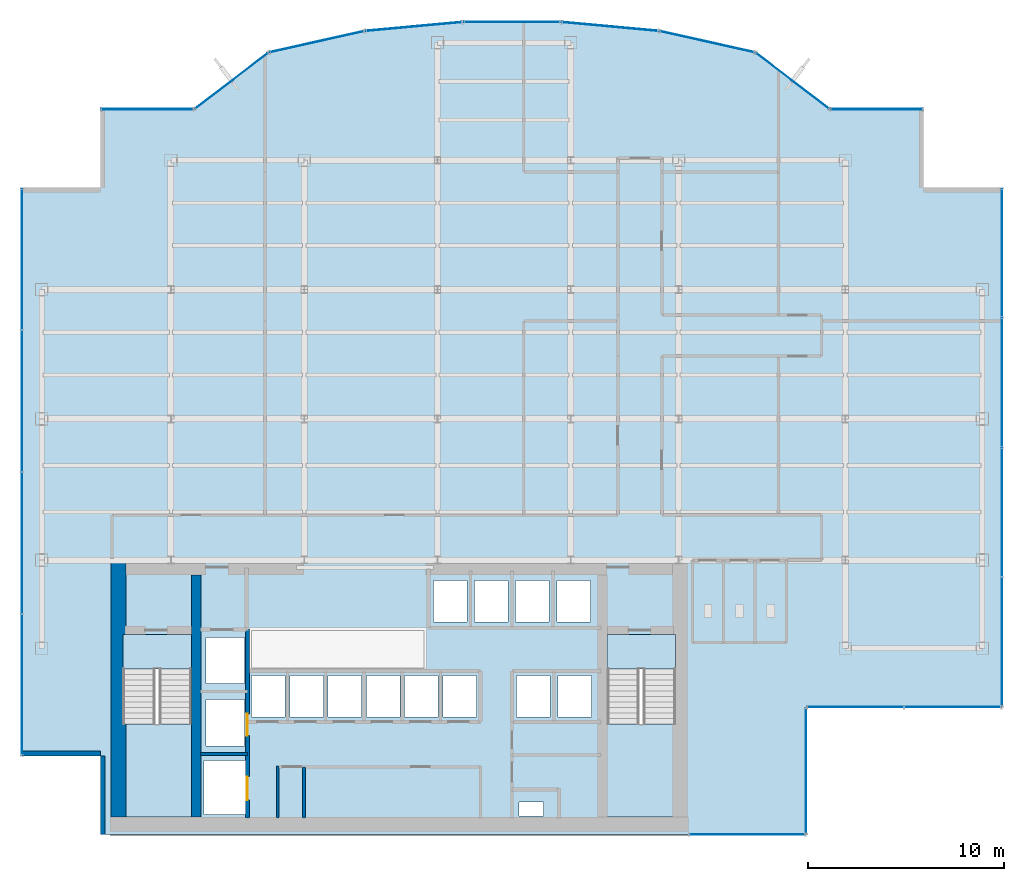
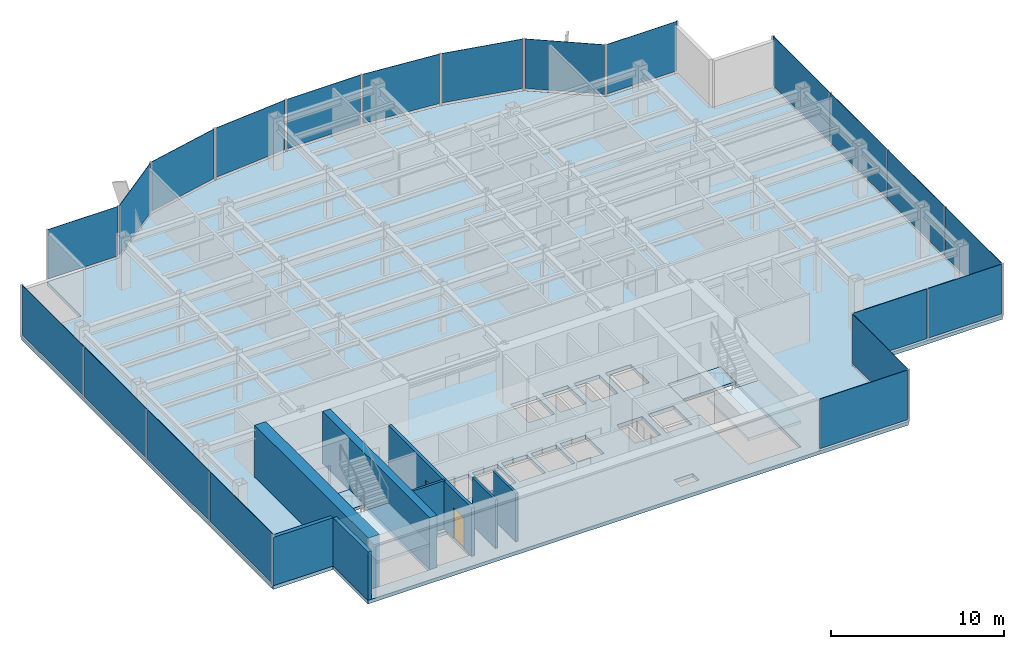
# One storey, part 19 of 25: 21 plates, 8 walls, 5 slabs, 2 doors, 2 openings, 16 elements without a shape of their own.
"""IFC4 building model written with IfcOpenShell, lengths in metres."""

from ifc_helpers import new_model, si_unit, derived_unit, direction, frame, frame_2d, origin, origin_2d, place, context, subcontext, project, spatial, polyline, rectangle, outline, extrude, source, transform, mapped, material, layer, layer_set, type_object, element, fill, aggregate, save


model = new_model("IFC4")

# Units and contexts
model_context = context("Model", 3, precision=1e-05, world=origin(), true_north=direction((0.0, 1.0)))
body_context = subcontext(model_context, "Body", "Model", "MODEL_VIEW")
ifc_project = project(units=[si_unit("LENGTHUNIT", "METRE"), si_unit("AREAUNIT", "SQUARE_METRE"), si_unit("VOLUMEUNIT", "CUBIC_METRE"), si_unit("PLANEANGLEUNIT", "RADIAN"), si_unit("MASSUNIT", "GRAM", prefix="KILO"), derived_unit("THERMALTRANSMITTANCEUNIT", [(si_unit("POWERUNIT", "WATT"), 1), (si_unit("LENGTHUNIT", "METRE"), -2), (si_unit("THERMODYNAMICTEMPERATUREUNIT", "KELVIN"), -1)])], contexts=[model_context])

# Site, building, storey
site_placement = place(None, origin())
site = spatial("IfcSite", under=ifc_project, at=site_placement, CompositionType="ELEMENT")
building_placement = place(site_placement, origin())
building = spatial("IfcBuilding", under=site, at=building_placement, Name="Skarnbrae Concourse Arena and Tower", CompositionType="ELEMENT")
storey_placement = place(building_placement, frame((0.0, 0.0, 166.14990234375)))
storey = spatial("IfcBuildingStorey", under=building, at=storey_placement, Name="L42", CompositionType="ELEMENT", Elevation=166.14990234375)

# Stair, slab
ifc_material_1 = material(Name="Concrete 40 MPa (C40/50)", Category="concrete")
stair_type = type_object("IfcStairType", Name="STAIR-DOGLEG-1650", PredefinedType="HALF_TURN_STAIR", material=ifc_material_1)
stair_1_placement = place(storey_placement, origin())
stair_1 = element("IfcStair", 1, at=stair_1_placement, inside=storey, type_object=stair_type, Name="L42 Protected Exit Stair ST-1", PredefinedType="HALF_TURN_STAIR")
ifc_layer_1 = layer(ifc_material_1, 0.199951171875)
ifc_layer_set_1 = layer_set([ifc_layer_1], Name="Concrete 40 MPa (C40/50)")
slab_type_1 = type_object("IfcSlabType", Name="SLAB-LANDING-200", PredefinedType="LANDING", material=ifc_layer_set_1)
slab_1_placement = place(storey_placement, frame((0.0, 0.0, 1.625)))
slab_1 = element("IfcSlab", 2, at=slab_1_placement, type_object=slab_type_1, Name="ST-1 landing 1", PredefinedType="LANDING", context=body_context, shape_type="SweptSolid", body=[
    extrude(outline(polyline([(5.14990234375, 5.64990234375), (5.14990234375, 0.89990234375), (8.64990234375, 0.89990234375), (8.64990234375, 5.64990234375), (5.14990234375, 5.64990234375)])), origin(), (0.0, 0.0, 1.0), 0.2001953125),
])
aggregate(stair_1, [slab_1])

stair_2_placement = place(storey_placement, origin())
stair_2 = element("IfcStair", 3, at=stair_2_placement, inside=storey, type_object=stair_type, Name="L42 Protected Exit Stair ST-2", PredefinedType="HALF_TURN_STAIR")
slab_2_placement = place(storey_placement, frame((0.0, 0.0, 1.625)))
slab_2 = element("IfcSlab", 4, at=slab_2_placement, type_object=slab_type_1, Name="ST-2 landing 1", PredefinedType="LANDING", context=body_context, shape_type="SweptSolid", body=[
    extrude(outline(polyline([(29.85009765625, 5.64990234375), (29.85009765625, 0.89990234375), (33.35009765625, 0.89990234375), (33.35009765625, 5.64990234375), (29.85009765625, 5.64990234375)])), origin(), (0.0, 0.0, 1.0), 0.2001953125),
])
aggregate(stair_2, [slab_2])

# Slabs
slab_3_placement = place(storey_placement, frame((0.0, 0.0, -0.199951171875)))
element("IfcSlab", 5, at=slab_3_placement, inside=storey, type_object=slab_type_1, Name="L42 Core stair ST1 floor landing", PredefinedType="LANDING", context=body_context, shape_type="SweptSolid", body=[
    extrude(outline(polyline([(5.14990234375, 10.199951171875), (5.14990234375, 8.449951171875), (8.64990234375, 8.449951171875), (8.64990234375, 10.199951171875), (5.14990234375, 10.199951171875)])), origin(), (0.0, 0.0, 1.0), 0.199951171875),
])
slab_4_placement = place(storey_placement, frame((0.0, 0.0, -0.199951171875)))
element("IfcSlab", 6, at=slab_4_placement, inside=storey, type_object=slab_type_1, Name="L42 Core stair ST2 floor landing", PredefinedType="LANDING", context=body_context, shape_type="SweptSolid", body=[
    extrude(outline(polyline([(29.85009765625, 10.199951171875), (29.85009765625, 8.449951171875), (33.35009765625, 8.449951171875), (33.35009765625, 10.199951171875), (29.85009765625, 10.199951171875)])), origin(), (0.0, 0.0, 1.0), 0.199951171875),
])
ifc_layer_2 = layer(ifc_material_1, 0.25)
ifc_layer_set_2 = layer_set([ifc_layer_2], Name="Concrete 40 MPa (C40/50)")
slab_type_2 = type_object("IfcSlabType", Name="SLAB-TOWER-250", PredefinedType="FLOOR", material=ifc_layer_set_2)
slab_5_placement = place(storey_placement, frame((0.0, 0.0, -0.25)))
element("IfcSlab", 7, at=slab_5_placement, inside=storey, type_object=slab_type_2, Name="L42 Structural floor slab", PredefinedType="FLOOR", context=body_context, shape_type="SweptSolid", body=[
    extrude(outline(polyline([(4.0, 0.0), (40.0, 0.0), (40.0, 6.5), (50.0, 6.5), (50.0, 33.0), (46.0, 33.0), (46.0, 37.0), (41.199951171875, 37.0), (37.409423828125, 39.892578125), (32.51220703125, 40.98681640625), (27.51123046875, 41.445556640625), (22.48876953125, 41.445556640625), (17.48779296875, 40.98681640625), (12.590576171875, 39.892578125), (8.800048828125, 37.0), (4.0, 37.0), (4.0, 33.0), (0.0, 33.0), (0.0, 4.0), (4.0, 4.0), (4.0, 0.0)]), holes=[polyline([(9.294921875, 3.780029296875), (11.455078125, 3.780029296875), (11.455078125, 1.02001953125), (9.294921875, 1.02001953125), (9.294921875, 3.780029296875)]), polyline([(8.64990234375, 10.199951171875), (8.64990234375, 0.89990234375), (5.14990234375, 0.89990234375), (5.14990234375, 10.199951171875), (8.64990234375, 10.199951171875)]), polyline([(9.39501953125, 6.8798828125), (11.35498046875, 6.8798828125), (11.35498046875, 4.52001953125), (9.39501953125, 4.52001953125), (9.39501953125, 6.8798828125)]), polyline([(11.719970703125, 8.10498046875), (13.429931640625, 8.10498046875), (13.429931640625, 5.9951171875), (11.719970703125, 5.9951171875), (11.719970703125, 8.10498046875)]), polyline([(13.669921875, 8.10498046875), (15.3798828125, 8.10498046875), (15.3798828125, 5.9951171875), (13.669921875, 5.9951171875), (13.669921875, 8.10498046875)]), polyline([(15.6201171875, 8.10498046875), (17.330078125, 8.10498046875), (17.330078125, 5.9951171875), (15.6201171875, 5.9951171875), (15.6201171875, 8.10498046875)]), polyline([(17.570068359375, 8.10498046875), (19.280029296875, 8.10498046875), (19.280029296875, 5.9951171875), (17.570068359375, 5.9951171875), (17.570068359375, 8.10498046875)]), polyline([(21.22998046875, 8.10498046875), (21.22998046875, 5.9951171875), (19.52001953125, 5.9951171875), (19.52001953125, 8.10498046875), (21.22998046875, 8.10498046875)]), polyline([(11.35498046875, 10.054931640625), (11.35498046875, 7.695068359375), (9.39501953125, 7.695068359375), (9.39501953125, 10.054931640625), (11.35498046875, 10.054931640625)]), polyline([(25.35009765625, 1.669921875), (26.60009765625, 1.669921875), (26.60009765625, 0.949951171875), (25.35009765625, 0.949951171875), (25.35009765625, 1.669921875)]), polyline([(33.35009765625, 10.199951171875), (33.35009765625, 0.89990234375), (29.85009765625, 0.89990234375), (29.85009765625, 10.199951171875), (33.35009765625, 10.199951171875)]), polyline([(21.469970703125, 8.10498046875), (23.179931640625, 8.10498046875), (23.179931640625, 5.9951171875), (21.469970703125, 5.9951171875), (21.469970703125, 8.10498046875)]), polyline([(25.235107421875, 8.10498046875), (26.945068359375, 8.10498046875), (26.945068359375, 5.9951171875), (25.235107421875, 5.9951171875), (25.235107421875, 8.10498046875)]), polyline([(27.3349609375, 8.10498046875), (29.044921875, 8.10498046875), (29.044921875, 5.9951171875), (27.3349609375, 5.9951171875), (27.3349609375, 8.10498046875)]), polyline([(20.985107421875, 12.955078125), (22.695068359375, 12.955078125), (22.695068359375, 10.844970703125), (20.985107421875, 10.844970703125), (20.985107421875, 12.955078125)]), polyline([(23.0849609375, 12.955078125), (24.794921875, 12.955078125), (24.794921875, 10.844970703125), (23.0849609375, 10.844970703125), (23.0849609375, 12.955078125)]), polyline([(26.89501953125, 12.955078125), (26.89501953125, 10.844970703125), (25.18505859375, 10.844970703125), (25.18505859375, 12.955078125), (26.89501953125, 12.955078125)]), polyline([(28.9951171875, 12.955078125), (28.9951171875, 10.844970703125), (27.284912109375, 10.844970703125), (27.284912109375, 12.955078125), (28.9951171875, 12.955078125)])]), origin(), (0.0, 0.0, 1.0), 0.25),
])

# Curtain wall, plates
ifc_material_2 = material(Name="Bronze anodised aluminium 6063-T6", Category="aluminium")
curtain_wall_type_1 = type_object("IfcCurtainWallType", Name="CW-SYS-04-MIDZONE", PredefinedType="USERDEFINED", material=ifc_material_2)
curtain_wall_1_placement = place(storey_placement, origin())
curtain_wall_1 = element("IfcCurtainWall", 8, at=curtain_wall_1_placement, inside=storey, type_object=curtain_wall_type_1, Name="L42 Unitised curtain wall CW-L42-E03", ObjectType="UNITISED CURTAIN WALL", PredefinedType="USERDEFINED")
ifc_material_3 = material(Name="Low-E triple insulating glass", Category="glass")
ifc_layer_3 = layer(ifc_material_3, 0.031982421875)
ifc_layer_set_3 = layer_set([ifc_layer_3], Name="Low-E triple insulating glass")
plate_type_1 = type_object("IfcPlateType", Name="CWP-CW-04", PredefinedType="CURTAIN_PANEL", material=ifc_layer_set_3)
shared_shape_1 = source(origin(), body_context, "Body", "SweptSolid", [
    extrude(rectangle(XDim=4.887451171875, YDim=0.031982421875, at=origin_2d()), origin(), (0.0, 0.0, 1.0), 3.489990234375),
])
plate_1_placement = place(storey_placement, frame((42.518798828125, 6.5, 0.16015625), z_axis=(0.0, 0.0, 1.0), x_axis=(1.0, 0.0, 0.0)))
plate_1 = element("IfcPlate", 9, at=plate_1_placement, type_object=plate_type_1, Name="CW-L42-E03 Low-E Glazing Panel 1", PredefinedType="CURTAIN_PANEL", context=body_context, shape_type="MappedRepresentation", body=[
    mapped(shared_shape_1, transform((0.0, 0.0, 0.0))),
])
plate_2_placement = place(storey_placement, frame((47.481201171875, 6.5, 0.16015625), z_axis=(0.0, 0.0, 1.0), x_axis=(1.0, 0.0, 0.0)))
plate_2 = element("IfcPlate", 10, at=plate_2_placement, type_object=plate_type_1, Name="CW-L42-E03 Low-E Glazing Panel 2", PredefinedType="CURTAIN_PANEL", context=body_context, shape_type="MappedRepresentation", body=[
    mapped(shared_shape_1, transform((0.0, 0.0, 0.0))),
])
aggregate(curtain_wall_1, [plate_1, plate_2])

# Curtain wall, plate
curtain_wall_2_placement = place(storey_placement, origin())
curtain_wall_2 = element("IfcCurtainWall", 11, at=curtain_wall_2_placement, inside=storey, type_object=curtain_wall_type_1, Name="L42 Unitised curtain wall CW-L42-SE-SPINE", ObjectType="UNITISED CURTAIN WALL", PredefinedType="USERDEFINED")
shared_shape_2 = source(origin(), body_context, "Body", "SweptSolid", [
    extrude(rectangle(XDim=5.85009765625, YDim=0.031982421875, at=origin_2d()), origin(), (0.0, 0.0, 1.0), 3.489990234375),
])
plate_3_placement = place(storey_placement, frame((37.0, 0.0, 0.16015625), z_axis=(0.0, 0.0, 1.0), x_axis=(1.0, 0.0, 0.0)))
plate_3 = element("IfcPlate", 12, at=plate_3_placement, type_object=plate_type_1, Name="CW-L42-SE-SPINE Low-E Glazing Panel 1", PredefinedType="CURTAIN_PANEL", context=body_context, shape_type="MappedRepresentation", body=[
    mapped(shared_shape_2, transform((0.0, 0.0, 0.0))),
])
aggregate(curtain_wall_2, [plate_3])

curtain_wall_3_placement = place(storey_placement, origin())
curtain_wall_3 = element("IfcCurtainWall", 13, at=curtain_wall_3_placement, inside=storey, type_object=curtain_wall_type_1, Name="L42 Unitised curtain wall CW-L42-E02", ObjectType="UNITISED CURTAIN WALL", PredefinedType="USERDEFINED")
shared_shape_3 = source(origin(), body_context, "Body", "SweptSolid", [
    extrude(rectangle(XDim=6.35009765625, YDim=0.031982421875, at=origin_2d()), origin(), (0.0, 0.0, 1.0), 3.489990234375),
])
plate_4_placement = place(storey_placement, frame((40.0, 3.25, 0.16015625), z_axis=(0.0, 0.0, 1.0), x_axis=(0.0, 1.0, 0.0)))
plate_4 = element("IfcPlate", 14, at=plate_4_placement, type_object=plate_type_1, Name="CW-L42-E02 Low-E Glazing Panel 1", PredefinedType="CURTAIN_PANEL", context=body_context, shape_type="MappedRepresentation", body=[
    mapped(shared_shape_3, transform((0.0, 0.0, 0.0))),
])
aggregate(curtain_wall_3, [plate_4])

curtain_wall_4_placement = place(storey_placement, origin())
curtain_wall_4 = element("IfcCurtainWall", 15, at=curtain_wall_4_placement, inside=storey, type_object=curtain_wall_type_1, Name="L42 Unitised curtain wall CW-L42-E07", ObjectType="UNITISED CURTAIN WALL", PredefinedType="USERDEFINED")
shared_shape_4 = source(origin(), body_context, "Body", "SweptSolid", [
    extrude(rectangle(XDim=4.64990234375, YDim=0.031982421875, at=origin_2d()), origin(), (0.0, 0.0, 1.0), 3.489990234375),
])
plate_5_placement = place(storey_placement, frame((43.60009765625, 37.0, 0.16015625), z_axis=(0.0, 0.0, 1.0), x_axis=(-1.0, 0.0, 0.0)))
plate_5 = element("IfcPlate", 16, at=plate_5_placement, type_object=plate_type_1, Name="CW-L42-E07 Low-E Glazing Panel 1", PredefinedType="CURTAIN_PANEL", context=body_context, shape_type="MappedRepresentation", body=[
    mapped(shared_shape_4, transform((0.0, 0.0, 0.0))),
])
aggregate(curtain_wall_4, [plate_5])

curtain_wall_5_placement = place(storey_placement, origin())
curtain_wall_5 = element("IfcCurtainWall", 17, at=curtain_wall_5_placement, inside=storey, type_object=curtain_wall_type_1, Name="L42 Unitised curtain wall CW-L42-E15", ObjectType="UNITISED CURTAIN WALL", PredefinedType="USERDEFINED")
plate_6_placement = place(storey_placement, frame((6.39990234375, 37.0, 0.16015625), z_axis=(0.0, 0.0, 1.0), x_axis=(-1.0, 0.0, 0.0)))
plate_6 = element("IfcPlate", 18, at=plate_6_placement, type_object=plate_type_1, Name="CW-L42-E15 Low-E Glazing Panel 1", PredefinedType="CURTAIN_PANEL", context=body_context, shape_type="MappedRepresentation", body=[
    mapped(shared_shape_4, transform((0.0, 0.0, 0.0))),
])
aggregate(curtain_wall_5, [plate_6])

curtain_wall_6_placement = place(storey_placement, origin())
curtain_wall_6 = element("IfcCurtainWall", 19, at=curtain_wall_6_placement, inside=storey, type_object=curtain_wall_type_1, Name="L42 Unitised curtain wall CW-L42-E08", ObjectType="UNITISED CURTAIN WALL", PredefinedType="USERDEFINED")
shared_shape_5 = source(origin(), body_context, "Body", "SweptSolid", [
    extrude(rectangle(XDim=4.6181640625, YDim=0.031982421875, at=origin_2d()), origin(), (0.0, 0.0, 1.0), 3.489990234375),
])
plate_7_placement = place(storey_placement, frame((39.3046875, 38.4462890625, 0.16015625), z_axis=(0.0, 0.0, 1.0), x_axis=(-0.794956000706, 0.606667089054, 0.0)))
plate_7 = element("IfcPlate", 20, at=plate_7_placement, type_object=plate_type_1, Name="CW-L42-E08 Low-E Glazing Panel 1", PredefinedType="CURTAIN_PANEL", context=body_context, shape_type="MappedRepresentation", body=[
    mapped(shared_shape_5, transform((0.0, 0.0, 0.0))),
])
aggregate(curtain_wall_6, [plate_7])

curtain_wall_7_placement = place(storey_placement, origin())
curtain_wall_7 = element("IfcCurtainWall", 21, at=curtain_wall_7_placement, inside=storey, type_object=curtain_wall_type_1, Name="L42 Unitised curtain wall CW-L42-E14", ObjectType="UNITISED CURTAIN WALL", PredefinedType="USERDEFINED")
plate_8_placement = place(storey_placement, frame((10.6953125, 38.4462890625, 0.16015625), z_axis=(0.0, 0.0, 1.0), x_axis=(-0.794956000706, -0.606667089054, 0.0)))
plate_8 = element("IfcPlate", 22, at=plate_8_placement, type_object=plate_type_1, Name="CW-L42-E14 Low-E Glazing Panel 1", PredefinedType="CURTAIN_PANEL", context=body_context, shape_type="MappedRepresentation", body=[
    mapped(shared_shape_5, transform((0.0, 0.0, 0.0))),
])
aggregate(curtain_wall_7, [plate_8])

# Curtain wall, plates
curtain_wall_8_placement = place(storey_placement, origin())
curtain_wall_8 = element("IfcCurtainWall", 23, at=curtain_wall_8_placement, inside=storey, type_object=curtain_wall_type_1, Name="L42 Unitised curtain wall CW-L42-E18", ObjectType="UNITISED CURTAIN WALL", PredefinedType="USERDEFINED")
shared_shape_6 = source(origin(), body_context, "Body", "SweptSolid", [
    extrude(rectangle(XDim=7.137451171875, YDim=0.031982421875, at=origin_2d()), origin(), (0.0, 0.0, 1.0), 3.489990234375),
])
plate_9_placement = place(storey_placement, frame((0.0, 29.356201171875, 0.16015625), z_axis=(0.0, 0.0, 1.0), x_axis=(0.0, -1.0, 0.0)))
plate_9 = element("IfcPlate", 24, at=plate_9_placement, type_object=plate_type_1, Name="CW-L42-E18 Low-E Glazing Panel 1", PredefinedType="CURTAIN_PANEL", context=body_context, shape_type="MappedRepresentation", body=[
    mapped(shared_shape_6, transform((0.0, 0.0, 0.0))),
])
plate_10_placement = place(storey_placement, frame((0.0, 7.643798828125, 0.16015625), z_axis=(0.0, 0.0, 1.0), x_axis=(0.0, -1.0, 0.0)))
plate_10 = element("IfcPlate", 25, at=plate_10_placement, type_object=plate_type_1, Name="CW-L42-E18 Low-E Glazing Panel 4", PredefinedType="CURTAIN_PANEL", context=body_context, shape_type="MappedRepresentation", body=[
    mapped(shared_shape_6, transform((0.0, 0.0, 0.0))),
])
shared_shape_7 = source(origin(), body_context, "Body", "SweptSolid", [
    extrude(rectangle(XDim=7.175048828125, YDim=0.031982421875, at=origin_2d()), origin(), (0.0, 0.0, 1.0), 3.489990234375),
])
plate_11_placement = place(storey_placement, frame((0.0, 22.125, 0.16015625), z_axis=(0.0, 0.0, 1.0), x_axis=(0.0, -1.0, 0.0)))
plate_11 = element("IfcPlate", 26, at=plate_11_placement, type_object=plate_type_1, Name="CW-L42-E18 Low-E Glazing Panel 2", PredefinedType="CURTAIN_PANEL", context=body_context, shape_type="MappedRepresentation", body=[
    mapped(shared_shape_7, transform((0.0, 0.0, 0.0))),
])
plate_12_placement = place(storey_placement, frame((0.0, 14.875, 0.16015625), z_axis=(0.0, 0.0, 1.0), x_axis=(0.0, -1.0, 0.0)))
plate_12 = element("IfcPlate", 27, at=plate_12_placement, type_object=plate_type_1, Name="CW-L42-E18 Low-E Glazing Panel 3", PredefinedType="CURTAIN_PANEL", context=body_context, shape_type="MappedRepresentation", body=[
    mapped(shared_shape_7, transform((0.0, 0.0, 0.0))),
])
aggregate(curtain_wall_8, [plate_9, plate_11, plate_12, plate_10])

curtain_wall_9_placement = place(storey_placement, origin())
curtain_wall_9 = element("IfcCurtainWall", 28, at=curtain_wall_9_placement, inside=storey, type_object=curtain_wall_type_1, Name="L42 Unitised curtain wall CW-L42-E04", ObjectType="UNITISED CURTAIN WALL", PredefinedType="USERDEFINED")
shared_shape_8 = source(origin(), body_context, "Body", "SweptSolid", [
    extrude(rectangle(XDim=6.512451171875, YDim=0.031982421875, at=origin_2d()), origin(), (0.0, 0.0, 1.0), 3.489990234375),
])
plate_13_placement = place(storey_placement, frame((50.0, 9.831298828125, 0.16015625), z_axis=(0.0, 0.0, 1.0), x_axis=(0.0, 1.0, 0.0)))
plate_13 = element("IfcPlate", 29, at=plate_13_placement, type_object=plate_type_1, Name="CW-L42-E04 Low-E Glazing Panel 1", PredefinedType="CURTAIN_PANEL", context=body_context, shape_type="MappedRepresentation", body=[
    mapped(shared_shape_8, transform((0.0, 0.0, 0.0))),
])
plate_14_placement = place(storey_placement, frame((50.0, 29.668701171875, 0.16015625), z_axis=(0.0, 0.0, 1.0), x_axis=(0.0, 1.0, 0.0)))
plate_14 = element("IfcPlate", 30, at=plate_14_placement, type_object=plate_type_1, Name="CW-L42-E04 Low-E Glazing Panel 4", PredefinedType="CURTAIN_PANEL", context=body_context, shape_type="MappedRepresentation", body=[
    mapped(shared_shape_8, transform((0.0, 0.0, 0.0))),
])
shared_shape_9 = source(origin(), body_context, "Body", "SweptSolid", [
    extrude(rectangle(XDim=6.550048828125, YDim=0.031982421875, at=origin_2d()), origin(), (0.0, 0.0, 1.0), 3.489990234375),
])
plate_15_placement = place(storey_placement, frame((50.0, 16.4375, 0.16015625), z_axis=(0.0, 0.0, 1.0), x_axis=(0.0, 1.0, 0.0)))
plate_15 = element("IfcPlate", 31, at=plate_15_placement, type_object=plate_type_1, Name="CW-L42-E04 Low-E Glazing Panel 2", PredefinedType="CURTAIN_PANEL", context=body_context, shape_type="MappedRepresentation", body=[
    mapped(shared_shape_9, transform((0.0, 0.0, 0.0))),
])
plate_16_placement = place(storey_placement, frame((50.0, 23.0625, 0.16015625), z_axis=(0.0, 0.0, 1.0), x_axis=(0.0, 1.0, 0.0)))
plate_16 = element("IfcPlate", 32, at=plate_16_placement, type_object=plate_type_1, Name="CW-L42-E04 Low-E Glazing Panel 3", PredefinedType="CURTAIN_PANEL", context=body_context, shape_type="MappedRepresentation", body=[
    mapped(shared_shape_9, transform((0.0, 0.0, 0.0))),
])
aggregate(curtain_wall_9, [plate_13, plate_15, plate_16, plate_14])

# Curtain wall, plate
curtain_wall_type_2 = type_object("IfcCurtainWallType", Name="CW-SYS-03-PORTAL", PredefinedType="USERDEFINED", material=ifc_material_2)
curtain_wall_10_placement = place(storey_placement, origin())
curtain_wall_10 = element("IfcCurtainWall", 33, at=curtain_wall_10_placement, inside=storey, type_object=curtain_wall_type_2, Name="L42 Unitised curtain wall CW-L42-E09", ObjectType="UNITISED CURTAIN WALL", PredefinedType="USERDEFINED")
ifc_layer_4 = layer(ifc_material_3, 0.033935546875)
ifc_layer_set_4 = layer_set([ifc_layer_4], Name="Low-E triple insulating glass")
plate_type_2 = type_object("IfcPlateType", Name="CWP-CW-03", PredefinedType="CURTAIN_PANEL", material=ifc_layer_set_4)
shared_shape_10 = source(origin(), body_context, "Body", "SweptSolid", [
    extrude(rectangle(XDim=4.85791015625, YDim=0.033935546875, at=origin_2d()), origin(), (0.0, 0.0, 1.0), 3.47998046875),
])
plate_17_placement = place(storey_placement, frame((34.9609375, 40.439697265625, 0.170166015625), z_axis=(0.0, 0.0, 1.0), x_axis=(-0.975936175393, 0.218056372433, 0.0)))
plate_17 = element("IfcPlate", 34, at=plate_17_placement, type_object=plate_type_2, Name="CW-L42-E09 Low-E Glazing Panel 1", PredefinedType="CURTAIN_PANEL", context=body_context, shape_type="MappedRepresentation", body=[
    mapped(shared_shape_10, transform((0.0, 0.0, 0.0))),
])
aggregate(curtain_wall_10, [plate_17])

curtain_wall_11_placement = place(storey_placement, origin())
curtain_wall_11 = element("IfcCurtainWall", 35, at=curtain_wall_11_placement, inside=storey, type_object=curtain_wall_type_2, Name="L42 Unitised curtain wall CW-L42-E13", ObjectType="UNITISED CURTAIN WALL", PredefinedType="USERDEFINED")
plate_18_placement = place(storey_placement, frame((15.0390625, 40.439697265625, 0.170166015625), z_axis=(0.0, 0.0, 1.0), x_axis=(-0.975936175393, -0.218056372433, 0.0)))
plate_18 = element("IfcPlate", 36, at=plate_18_placement, type_object=plate_type_2, Name="CW-L42-E13 Low-E Glazing Panel 1", PredefinedType="CURTAIN_PANEL", context=body_context, shape_type="MappedRepresentation", body=[
    mapped(shared_shape_10, transform((0.0, 0.0, 0.0))),
])
aggregate(curtain_wall_11, [plate_18])

curtain_wall_12_placement = place(storey_placement, origin())
curtain_wall_12 = element("IfcCurtainWall", 37, at=curtain_wall_12_placement, inside=storey, type_object=curtain_wall_type_2, Name="L42 Unitised curtain wall CW-L42-E10", ObjectType="UNITISED CURTAIN WALL", PredefinedType="USERDEFINED")
shared_shape_11 = source(origin(), body_context, "Body", "SweptSolid", [
    extrude(rectangle(XDim=4.862060546875, YDim=0.033935546875, at=origin_2d()), origin(), (0.0, 0.0, 1.0), 3.47998046875),
])
plate_19_placement = place(storey_placement, frame((30.01171875, 41.21630859375, 0.170166015625), z_axis=(0.0, 0.0, 1.0), x_axis=(-0.995819926016, 0.091338244731, 0.0)))
plate_19 = element("IfcPlate", 38, at=plate_19_placement, type_object=plate_type_2, Name="CW-L42-E10 Low-E Glazing Panel 1", PredefinedType="CURTAIN_PANEL", context=body_context, shape_type="MappedRepresentation", body=[
    mapped(shared_shape_11, transform((0.0, 0.0, 0.0))),
])
aggregate(curtain_wall_12, [plate_19])

curtain_wall_13_placement = place(storey_placement, origin())
curtain_wall_13 = element("IfcCurtainWall", 39, at=curtain_wall_13_placement, inside=storey, type_object=curtain_wall_type_2, Name="L42 Unitised curtain wall CW-L42-E12", ObjectType="UNITISED CURTAIN WALL", PredefinedType="USERDEFINED")
plate_20_placement = place(storey_placement, frame((19.98828125, 41.21630859375, 0.170166015625), z_axis=(0.0, 0.0, 1.0), x_axis=(-0.995819926016, -0.091338244731, 0.0)))
plate_20 = element("IfcPlate", 40, at=plate_20_placement, type_object=plate_type_2, Name="CW-L42-E12 Low-E Glazing Panel 1", PredefinedType="CURTAIN_PANEL", context=body_context, shape_type="MappedRepresentation", body=[
    mapped(shared_shape_11, transform((0.0, 0.0, 0.0))),
])
aggregate(curtain_wall_13, [plate_20])

curtain_wall_14_placement = place(storey_placement, origin())
curtain_wall_14 = element("IfcCurtainWall", 41, at=curtain_wall_14_placement, inside=storey, type_object=curtain_wall_type_2, Name="L42 Unitised curtain wall CW-L42-E11", ObjectType="UNITISED CURTAIN WALL", PredefinedType="USERDEFINED")
shared_shape_12 = source(origin(), body_context, "Body", "SweptSolid", [
    extrude(rectangle(XDim=4.862548828125, YDim=0.033935546875, at=origin_2d()), origin(), (0.0, 0.0, 1.0), 3.47998046875),
])
plate_21_placement = place(storey_placement, frame((25.0, 41.445556640625, 0.170166015625), z_axis=(0.0, 0.0, 1.0), x_axis=(-1.0, 0.0, 0.0)))
plate_21 = element("IfcPlate", 42, at=plate_21_placement, type_object=plate_type_2, Name="CW-L42-E11 Low-E Glazing Panel 1", PredefinedType="CURTAIN_PANEL", context=body_context, shape_type="MappedRepresentation", body=[
    mapped(shared_shape_12, transform((0.0, 0.0, 0.0))),
])
aggregate(curtain_wall_14, [plate_21])

# Walls
ifc_material_4 = material(Name="Concrete 60 MPa (C60/75)", Category="concrete")
ifc_layer_5 = layer(ifc_material_4, 0.75)
ifc_layer_set_5 = layer_set([ifc_layer_5], Name="Concrete 60 MPa (C60/75)")
wall_type_1 = type_object("IfcWallType", Name="WALL-CORE-750-C60", PredefinedType="SHEAR", material=ifc_layer_set_5)
shared_shape_13 = source(origin(), body_context, "Body", "SweptSolid", [
    extrude(rectangle(XDim=13.10009765625, YDim=0.75, at=frame_2d((6.550048828125, 0.0))), origin(), (0.0, 0.0, 1.0), 3.650146484375),
])
wall_1_placement = place(storey_placement, frame((4.925048828125, 0.89990234375, 0.0), z_axis=(0.0, 0.0, 1.0), x_axis=(0.0, 1.0, 0.0)))
element("IfcWall", 43, at=wall_1_placement, inside=storey, type_object=wall_type_1, Name="L42 Rear core shear wall CW-W", PredefinedType="SHEAR", context=body_context, shape_type="MappedRepresentation", body=[
    mapped(shared_shape_13, transform((0.0, 0.0, 0.0))),
])
ifc_layer_6 = layer(ifc_material_4, 0.5)
ifc_layer_set_6 = layer_set([ifc_layer_6], Name="Concrete 60 MPa (C60/75)")
wall_type_2 = type_object("IfcWallType", Name="WALL-CORE-500-C60", PredefinedType="SHEAR", material=ifc_layer_set_6)
shared_shape_14 = source(origin(), body_context, "Body", "SweptSolid", [
    extrude(rectangle(XDim=12.35009765625, YDim=0.5, at=frame_2d((6.175048828125, 0.0))), origin(), (0.0, 0.0, 1.0), 3.650146484375),
])
wall_2_placement = place(storey_placement, frame((8.889892578125, 0.89990234375, 0.0), z_axis=(0.0, 0.0, 1.0), x_axis=(0.0, 1.0, 0.0)))
element("IfcWall", 44, at=wall_2_placement, inside=storey, type_object=wall_type_2, Name="L42 Rear core shear wall CW-WEB-W", PredefinedType="SHEAR", context=body_context, shape_type="MappedRepresentation", body=[
    mapped(shared_shape_14, transform((0.0, 0.0, 0.0))),
])
ifc_material_5 = material(Name="Precast concrete 40 MPa (C40/50)", Category="concrete")
ifc_layer_7 = layer(ifc_material_5, 0.25)
ifc_layer_set_7 = layer_set([ifc_layer_7], Name="Precast concrete 40 MPa (C40/50)")
wall_type_3 = type_object("IfcWallType", Name="WALL-EXT-SPANDREL-250", PredefinedType="STANDARD", material=ifc_layer_set_7)
shared_shape_15 = source(origin(), body_context, "Body", "SweptSolid", [
    extrude(rectangle(XDim=4.0, YDim=0.25, at=frame_2d((2.0, 0.0))), origin(), (0.0, 0.0, 1.0), 3.400146484375),
])
for number, where, z_axis, x_axis, name in (
    (45, (0.0, 4.125, 0.0), (0.0, 0.0, 1.0), (1.0, 0.0, 0.0), "L42 Notched corner insulated return wall 19"),
    (46, (4.125, 4.0, 0.0), (0.0, 0.0, 1.0), (0.0, -1.0, 0.0), "L42 Notched corner insulated return wall 20"),
):
    element("IfcWall", number, at=place(storey_placement, frame(where, z_axis=z_axis, x_axis=x_axis)), inside=storey, type_object=wall_type_3, Name=name, PredefinedType="STANDARD", context=body_context, shape_type="MappedRepresentation", body=[
        mapped(shared_shape_15, transform((0.0, 0.0, 0.0))),
    ])

# Wall, openings, doors
ifc_material_6 = material(Name="Gypsum board on cold-formed steel studs", Category="steel")
ifc_layer_8 = layer(ifc_material_6, 0.199951171875)
ifc_layer_set_8 = layer_set([ifc_layer_8], Name="Gypsum board on cold-formed steel studs")
wall_type_4 = type_object("IfcWallType", Name="WALL-PART-200-2HR", PredefinedType="PARTITIONING", material=ifc_layer_set_8)
shared_shape_16 = source(origin(), body_context, "Body", "SweptSolid", [
    extrude(rectangle(XDim=9.599853515625, YDim=0.199951171875, at=frame_2d((4.7998046875, 0.0))), origin(), (0.0, 0.0, 1.0), 3.400146484375),
])
wall_3_placement = place(storey_placement, frame((11.5, 0.85009765625, 0.0), z_axis=(0.0, 0.0, 1.0), x_axis=(0.0, 1.0, 0.0)))
wall_3 = element("IfcWall", 47, at=wall_3_placement, inside=storey, type_object=wall_type_4, Name="L42 Interior partition wall W-L42-FL-E", PredefinedType="PARTITIONING", context=body_context, shape_type="MappedRepresentation", body=[
    mapped(shared_shape_16, transform((0.0, 0.0, 0.0))),
])
opening_1_placement = place(wall_3_placement, frame((4.199951171875, 0.0, 0.0)))
opening_1 = element("IfcOpeningElement", 48, at=opening_1_placement, cuts=wall_3, Name="Opening LD-01", PredefinedType="OPENING", context=body_context, shape_type="SweptSolid", body=[
    extrude(rectangle(XDim=1.10009765625, YDim=2.14990234375, at=frame_2d((0.550048828125, 1.074951171875))), frame((0.0, 0.10986328125, 0.0), z_axis=(0.0, -1.0, 0.0), x_axis=(1.0, 0.0, 0.0)), (0.0, 0.0, 1.0), 0.219970703125),
])
opening_2_placement = place(wall_3_placement, frame((0.89990234375, 0.0, 0.0)))
opening_2 = element("IfcOpeningElement", 49, at=opening_2_placement, cuts=wall_3, Name="Opening LD-02", PredefinedType="OPENING", context=body_context, shape_type="SweptSolid", body=[
    extrude(rectangle(XDim=1.199951171875, YDim=2.14990234375, at=frame_2d((0.60009765625, 1.074951171875))), frame((0.0, 0.10986328125, 0.0), z_axis=(0.0, -1.0, 0.0), x_axis=(1.0, 0.0, 0.0)), (0.0, 0.0, 1.0), 0.219970703125),
])
ifc_material_7 = material(Name="Steel CSA G40.21 350W", Category="steel")
door_type_1 = type_object("IfcDoorType", Name="DOOR-LIFT-SLIDE-1100", OperationType="SLIDING_TO_LEFT", PredefinedType="DOOR", material=ifc_material_7)
shared_shape_17 = source(origin(), body_context, "Body", "SweptSolid", [
    extrude(rectangle(XDim=1.10009765625, YDim=2.14990234375, at=frame_2d((0.550048828125, 1.074951171875))), frame((0.0, 0.02490234375, 0.0), z_axis=(0.0, -1.0, 0.0), x_axis=(1.0, 0.0, 0.0)), (0.0, 0.0, 1.0), 0.050048828125),
])
door_1_placement = place(opening_1_placement, frame((1.10009765625, 0.0, 0.0), z_axis=(0.0, 0.0, 1.0), x_axis=(-1.0, 0.0, 0.0)))
door_1 = element("IfcDoor", 50, at=door_1_placement, inside=storey, type_object=door_type_1, Name="D-1298 Firefighting Lift Landing Door FL-02", OperationType="SLIDING_TO_LEFT", OverallHeight=2.14990234375, OverallWidth=1.10009765625, PredefinedType="DOOR", context=body_context, shape_type="MappedRepresentation", body=[
    mapped(shared_shape_17, transform((0.0, 0.0, 0.0))),
])
fill(opening_1, door_1)
door_type_2 = type_object("IfcDoorType", Name="DOOR-LIFT-SLIDE-1200", OperationType="SLIDING_TO_LEFT", PredefinedType="DOOR", material=ifc_material_7)
shared_shape_18 = source(origin(), body_context, "Body", "SweptSolid", [
    extrude(rectangle(XDim=1.199951171875, YDim=2.14990234375, at=frame_2d((0.60009765625, 1.074951171875))), frame((0.0, 0.02490234375, 0.0), z_axis=(0.0, -1.0, 0.0), x_axis=(1.0, 0.0, 0.0)), (0.0, 0.0, 1.0), 0.050048828125),
])
door_2_placement = place(opening_2_placement, frame((1.199951171875, 0.0, 0.0), z_axis=(0.0, 0.0, 1.0), x_axis=(-1.0, 0.0, 0.0)))
door_2 = element("IfcDoor", 51, at=door_2_placement, inside=storey, type_object=door_type_2, Name="D-1299 Service Lift Landing Door SV-01", OperationType="SLIDING_TO_LEFT", OverallHeight=2.14990234375, OverallWidth=1.199951171875, PredefinedType="DOOR", context=body_context, shape_type="MappedRepresentation", body=[
    mapped(shared_shape_18, transform((0.0, 0.0, 0.0))),
])
fill(opening_2, door_2)

# Walls
ifc_layer_9 = layer(ifc_material_6, 0.14990234375)
ifc_layer_set_9 = layer_set([ifc_layer_9], Name="Gypsum board on cold-formed steel studs")
wall_type_5 = type_object("IfcWallType", Name="WALL-PART-150", PredefinedType="PARTITIONING", material=ifc_layer_set_9)
shared_shape_19 = source(origin(), body_context, "Body", "SweptSolid", [
    extrude(rectangle(XDim=2.39990234375, YDim=0.14990234375, at=frame_2d((1.199951171875, 0.0))), origin(), (0.0, 0.0, 1.0), 3.400146484375),
])
wall_4_placement = place(storey_placement, frame((9.10009765625, 4.10009765625, 0.0), z_axis=(0.0, 0.0, 1.0), x_axis=(1.0, 0.0, 0.0)))
element("IfcWall", 52, at=wall_4_placement, inside=storey, type_object=wall_type_5, Name="L42 Interior partition wall W-L42-FL-D1", PredefinedType="PARTITIONING", context=body_context, shape_type="MappedRepresentation", body=[
    mapped(shared_shape_19, transform((0.0, 0.0, 0.0))),
])
shared_shape_20 = source(origin(), body_context, "Body", "SweptSolid", [
    extrude(rectangle(XDim=2.599853515625, YDim=0.14990234375, at=frame_2d((1.2998046875, 0.0))), origin(), (0.0, 0.0, 1.0), 3.400146484375),
])
wall_5_placement = place(storey_placement, frame((14.39990234375, 0.85009765625, 0.0), z_axis=(0.0, 0.0, 1.0), x_axis=(0.0, 1.0, 0.0)))
element("IfcWall", 53, at=wall_5_placement, inside=storey, type_object=wall_type_5, Name="L42 Interior partition wall W-L42-B1M-C1", PredefinedType="PARTITIONING", context=body_context, shape_type="MappedRepresentation", body=[
    mapped(shared_shape_20, transform((0.0, 0.0, 0.0))),
])
ifc_layer_10 = layer(ifc_material_6, 0.14990234375)
ifc_layer_set_10 = layer_set([ifc_layer_10], Name="Gypsum board on cold-formed steel studs")
wall_type_6 = type_object("IfcWallType", Name="WALL-PART-150-1HR", PredefinedType="PARTITIONING", material=ifc_layer_set_10)
shared_shape_21 = source(origin(), body_context, "Body", "SweptSolid", [
    extrude(rectangle(XDim=2.64990234375, YDim=0.14990234375, at=frame_2d((1.324951171875, 0.0))), origin(), (0.0, 0.0, 1.0), 3.400146484375),
])
wall_6_placement = place(storey_placement, frame((13.050048828125, 0.85009765625, 0.0), z_axis=(0.0, 0.0, 1.0), x_axis=(0.0, 1.0, 0.0)))
element("IfcWall", 54, at=wall_6_placement, inside=storey, type_object=wall_type_6, Name="L42 Interior partition wall W-L42-B1M-W", PredefinedType="PARTITIONING", context=body_context, shape_type="MappedRepresentation", body=[
    mapped(shared_shape_21, transform((0.0, 0.0, 0.0))),
])

save(model, "model.ifc")
